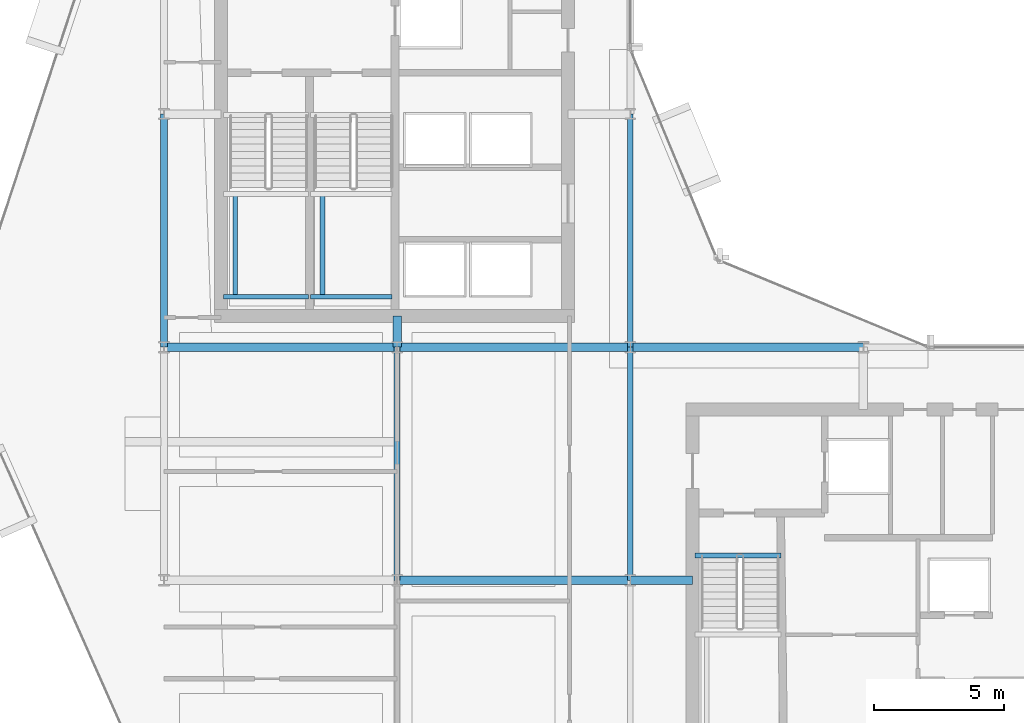
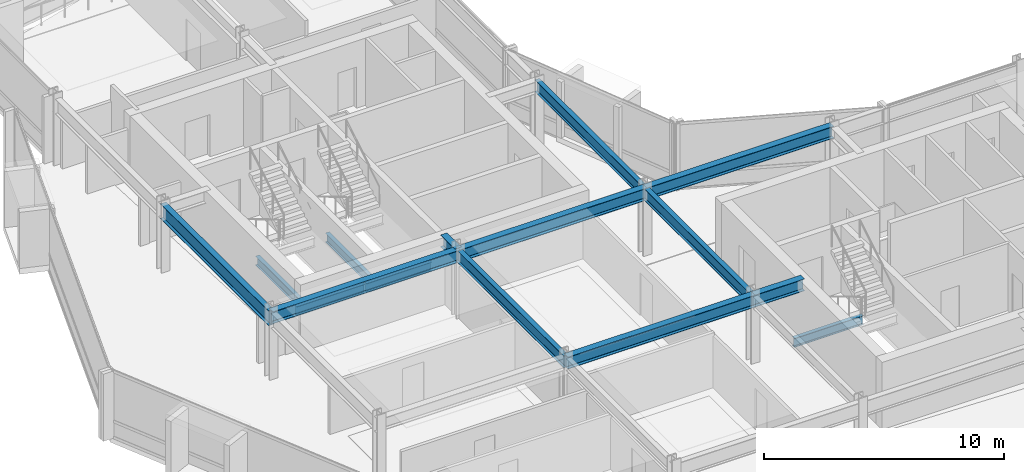
# One storey, part 7 of 29: 15 beams.
"""IFC4 building model written with IfcOpenShell, lengths in metres."""

from ifc_helpers import new_model, si_unit, direction, frame, origin, origin_2d, place, context, subcontext, project, spatial, i_section, extrude, material, material_profile, profile_set, type_object, element, save


model = new_model("IFC4")

# Units and contexts
model_context = context("Model", 3, precision=1e-05, world=origin(), true_north=direction((0.0, 1.0)))
body_context = subcontext(model_context, "Body", "Model", "MODEL_VIEW")
ifc_project = project(units=[si_unit("LENGTHUNIT", "METRE"), si_unit("AREAUNIT", "SQUARE_METRE"), si_unit("VOLUMEUNIT", "CUBIC_METRE"), si_unit("PLANEANGLEUNIT", "RADIAN"), si_unit("MASSUNIT", "GRAM", prefix="KILO")], contexts=[model_context])

# Site, building, storey
site_placement = place(None, origin())
site = spatial("IfcSite", under=ifc_project, at=site_placement, CompositionType="ELEMENT")
building_placement = place(site_placement, origin())
building = spatial("IfcBuilding", under=site, at=building_placement, Name="Solvaryn Broadcast Tower", CompositionType="ELEMENT")
storey_placement = place(building_placement, frame((0.0, 0.0, 143.300048828125)))
storey = spatial("IfcBuildingStorey", under=building, at=storey_placement, Name="L35", CompositionType="ELEMENT", Elevation=143.300048828125)

# Beams
ifc_material_1 = material(Name="Steel ASTM A992 Grade 50", Category="steel")
ifc_material_profile_1 = material_profile(ifc_material_1, i_section(OverallWidth=0.323974609375, OverallDepth=0.611083984375, WebThickness=0.0126953125, FlangeThickness=0.01904296875, FilletRadius=0.014892578125, at=origin_2d()))
ifc_profile_set_1 = profile_set([ifc_material_profile_1], Name="Steel ASTM A992 Grade 50")
beam_type_1 = type_object("IfcBeamType", Name="BM-B1-W24X104", PredefinedType="BEAM", material=ifc_profile_set_1)
for number, where, z_axis, x_axis, name in (
    (1, (18.0, 18.0, 3.114501953125), (1.0, 0.0, 0.0), (0.0, 1.0, 0.0), "L35 Primary Beam X (18-27 @ Y=18)"),
    (2, (9.0, 27.0, 3.114501953125), (1.0, 0.0, 0.0), (0.0, 1.0, 0.0), "L35 Primary Beam X (9-18 @ Y=27)"),
    (3, (18.0, 27.0, 3.114501953125), (1.0, 0.0, 0.0), (0.0, 1.0, 0.0), "L35 Primary Beam X (18-27 @ Y=27)"),
    (4, (27.0, 27.0, 3.114501953125), (1.0, 0.0, 0.0), (0.0, 1.0, 0.0), "L35 Primary Beam X (27-36 @ Y=27)"),
):
    element("IfcBeam", number, at=place(storey_placement, frame(where, z_axis=z_axis, x_axis=x_axis)), inside=storey, type_object=beam_type_1, Name=name, PredefinedType="BEAM", context=body_context, shape_type="SweptSolid", body=[
        extrude(i_section(OverallWidth=0.323974609375, OverallDepth=0.611083984375, WebThickness=0.0126953125, FlangeThickness=0.01904296875, FilletRadius=0.014892578125, at=origin_2d()), origin(), (0.0, 0.0, 1.0), 9.0),
    ])
beam_1_placement = place(storey_placement, frame((18.0, 27.0, 3.114501953125), z_axis=(0.0, 1.0, 0.0), x_axis=(-1.0, 0.0, 0.0)))
element("IfcBeam", 5, at=beam_1_placement, inside=storey, type_object=beam_type_1, Name="L35 Core Tie Beam CTW4", PredefinedType="BEAM", context=body_context, shape_type="SweptSolid", body=[
    extrude(i_section(OverallWidth=0.323974609375, OverallDepth=0.611083984375, WebThickness=0.0126953125, FlangeThickness=0.01904296875, FilletRadius=0.014892578125, at=origin_2d()), origin(), (0.0, 0.0, 1.0), 1.199951171875),
])
beam_2_placement = place(storey_placement, frame((27.0, 18.0, 3.114501953125), z_axis=(1.0, 0.0, 0.0), x_axis=(0.0, 1.0, 0.0)))
element("IfcBeam", 6, at=beam_2_placement, inside=storey, type_object=beam_type_1, Name="L35 Core Tie Beam CTE4", PredefinedType="BEAM", context=body_context, shape_type="SweptSolid", body=[
    extrude(i_section(OverallWidth=0.323974609375, OverallDepth=0.611083984375, WebThickness=0.0126953125, FlangeThickness=0.01904296875, FilletRadius=0.014892578125, at=origin_2d()), origin(), (0.0, 0.0, 1.0), 2.39990234375),
])
ifc_material_2 = material(Name="Steel ASTM A992 Grade 50", Category="steel")
ifc_material_profile_2 = material_profile(ifc_material_2, i_section(OverallWidth=0.22802734375, OverallDepth=0.60791015625, WebThickness=0.01123046875, FlangeThickness=0.017333984375, FilletRadius=0.014892578125, at=origin_2d()))
ifc_profile_set_2 = profile_set([ifc_material_profile_2], Name="Steel ASTM A992 Grade 50")
beam_type_2 = type_object("IfcBeamType", Name="BM-B2-W24X76", PredefinedType="BEAM", material=ifc_profile_set_2)
for number, where, z_axis, x_axis, name in (
    (7, (18.0, 18.0, 3.115966796875), (0.0, 1.0, 0.0), (-1.0, 0.0, 0.0), "L35 Primary Beam Y (18-27 @ X=18)"),
    (8, (27.0, 18.0, 3.115966796875), (0.0, 1.0, 0.0), (-1.0, 0.0, 0.0), "L35 Primary Beam Y (18-27 @ X=27)"),
    (9, (27.0, 27.0, 3.115966796875), (0.0, 1.0, 0.0), (-1.0, 0.0, 0.0), "L35 Primary Beam Y (27-36 @ X=27)"),
):
    element("IfcBeam", number, at=place(storey_placement, frame(where, z_axis=z_axis, x_axis=x_axis)), inside=storey, type_object=beam_type_2, Name=name, PredefinedType="BEAM", context=body_context, shape_type="SweptSolid", body=[
        extrude(i_section(OverallWidth=0.22802734375, OverallDepth=0.60791015625, WebThickness=0.01123046875, FlangeThickness=0.017333984375, FilletRadius=0.014892578125, at=origin_2d()), origin(), (0.0, 0.0, 1.0), 9.0),
    ])
ifc_material_3 = material(Name="Steel ASTM A992 Grade 50", Category="steel")
ifc_material_profile_3 = material_profile(ifc_material_3, i_section(OverallWidth=0.18994140625, OverallDepth=0.45703125, WebThickness=0.009033203125, FlangeThickness=0.014404296875, FilletRadius=0.011962890625, at=origin_2d()))
ifc_profile_set_3 = profile_set([ifc_material_profile_3], Name="Steel ASTM A992 Grade 50")
beam_type_3 = type_object("IfcBeamType", Name="BM-B4-W18X50", PredefinedType="BEAM", material=ifc_profile_set_3)
beam_3_placement = place(storey_placement, frame((11.300048828125, 28.949951171875, 1.42138671875), z_axis=(1.0, 0.0, 0.0), x_axis=(0.0, 1.0, 0.0)))
element("IfcBeam", 10, at=beam_3_placement, inside=storey, type_object=beam_type_3, Name="L35 ST1 Landing Support Beam 1A", PredefinedType="BEAM", context=body_context, shape_type="SweptSolid", body=[
    extrude(i_section(OverallWidth=0.18994140625, OverallDepth=0.45703125, WebThickness=0.009033203125, FlangeThickness=0.014404296875, FilletRadius=0.011962890625, at=origin_2d()), origin(), (0.0, 0.0, 1.0), 3.280029296875),
])
beam_4_placement = place(storey_placement, frame((11.75, 28.949951171875, 1.42138671875), z_axis=(0.0, 1.0, 0.0), x_axis=(-1.0, 0.0, 0.0)))
element("IfcBeam", 11, at=beam_4_placement, inside=storey, type_object=beam_type_3, Name="L35 ST1 Landing Cross Stringer 1C", PredefinedType="BEAM", context=body_context, shape_type="SweptSolid", body=[
    extrude(i_section(OverallWidth=0.18994140625, OverallDepth=0.45703125, WebThickness=0.009033203125, FlangeThickness=0.014404296875, FilletRadius=0.011962890625, at=origin_2d()), origin(), (0.0, 0.0, 1.0), 3.9599609375),
])
beam_5_placement = place(storey_placement, frame((14.659912109375, 28.949951171875, 1.42138671875), z_axis=(1.0, 0.0, 0.0), x_axis=(0.0, 1.0, 0.0)))
element("IfcBeam", 12, at=beam_5_placement, inside=storey, type_object=beam_type_3, Name="L35 ST2 Landing Support Beam 1A", PredefinedType="BEAM", context=body_context, shape_type="SweptSolid", body=[
    extrude(i_section(OverallWidth=0.18994140625, OverallDepth=0.45703125, WebThickness=0.009033203125, FlangeThickness=0.014404296875, FilletRadius=0.011962890625, at=origin_2d()), origin(), (0.0, 0.0, 1.0), 3.14013671875),
])
beam_6_placement = place(storey_placement, frame((15.110107421875, 28.949951171875, 1.42138671875), z_axis=(0.0, 1.0, 0.0), x_axis=(-1.0, 0.0, 0.0)))
element("IfcBeam", 13, at=beam_6_placement, inside=storey, type_object=beam_type_3, Name="L35 ST2 Landing Cross Stringer 1C", PredefinedType="BEAM", context=body_context, shape_type="SweptSolid", body=[
    extrude(i_section(OverallWidth=0.18994140625, OverallDepth=0.45703125, WebThickness=0.009033203125, FlangeThickness=0.014404296875, FilletRadius=0.011962890625, at=origin_2d()), origin(), (0.0, 0.0, 1.0), 3.9599609375),
])
beam_7_placement = place(storey_placement, frame((29.5, 18.9599609375, -0.508544921875), z_axis=(1.0, 0.0, 0.0), x_axis=(0.0, 1.0, 0.0)))
element("IfcBeam", 14, at=beam_7_placement, inside=storey, type_object=beam_type_3, Name="L35 ST3 Stair Well Trimmer Beam", PredefinedType="BEAM", context=body_context, shape_type="SweptSolid", body=[
    extrude(i_section(OverallWidth=0.18994140625, OverallDepth=0.45703125, WebThickness=0.009033203125, FlangeThickness=0.014404296875, FilletRadius=0.011962890625, at=origin_2d()), origin(), (0.0, 0.0, 1.0), 3.320068359375),
])
ifc_material_4 = material(Name="Steel ASTM A992 Grade 50", Category="steel")
ifc_material_profile_4 = material_profile(ifc_material_4, i_section(OverallWidth=0.26708984375, OverallDepth=0.76611328125, WebThickness=0.014892578125, FlangeThickness=0.023681640625, FilletRadius=0.01806640625, at=origin_2d()))
ifc_profile_set_4 = profile_set([ifc_material_profile_4], Name="Steel ASTM A992 Grade 50")
beam_type_4 = type_object("IfcBeamType", Name="BM-SP2-W30X124", PredefinedType="USERDEFINED", material=ifc_profile_set_4)
beam_8_placement = place(storey_placement, frame((9.0, 27.0, 3.036865234375), z_axis=(0.0, 1.0, 0.0), x_axis=(-1.0, 0.0, 0.0)))
element("IfcBeam", 15, at=beam_8_placement, inside=storey, type_object=beam_type_4, Name="L35 Spandrel Beam Y (27-36 @ X=9)", ObjectType="SPANDREL", PredefinedType="USERDEFINED", context=body_context, shape_type="SweptSolid", body=[
    extrude(i_section(OverallWidth=0.26708984375, OverallDepth=0.76611328125, WebThickness=0.014892578125, FlangeThickness=0.023681640625, FilletRadius=0.01806640625, at=origin_2d()), origin(), (0.0, 0.0, 1.0), 9.0),
])

save(model, "model.ifc")
